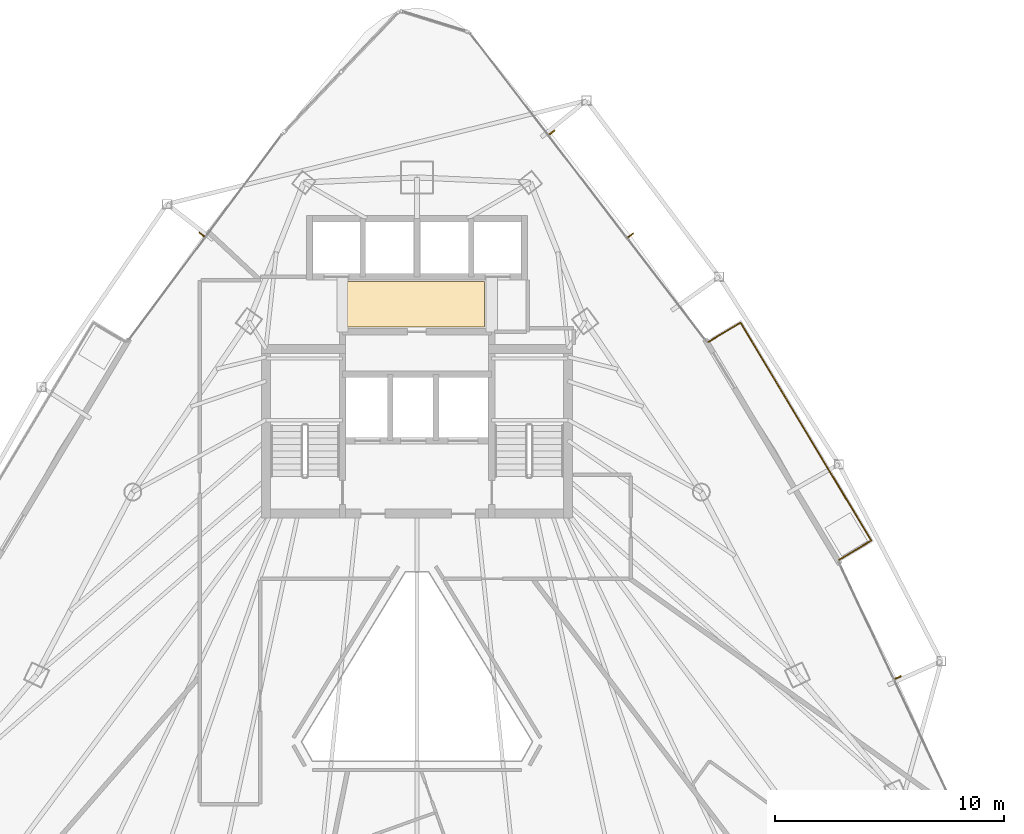
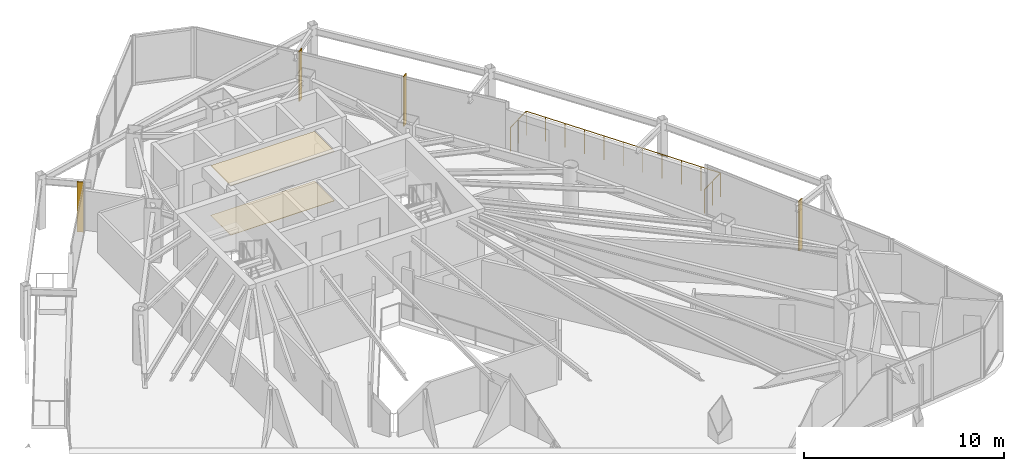
# One storey, part 30 of 30: 4 shading devices, 2 coverings, 1 railing.
"""IFC4 building model written with IfcOpenShell, lengths in metres."""

from ifc_helpers import new_model, si_unit, direction, frame, origin, origin_2d, place, context, subcontext, project, spatial, polyline, rectangle, circle, outline, extrude, material, layer, layer_set, type_object, element, save


model = new_model("IFC4")

# Units and contexts
model_context = context("Model", 3, precision=1e-05, world=origin(), true_north=direction((0.0, 1.0)))
body_context = subcontext(model_context, "Body", "Model", "MODEL_VIEW")
ifc_project = project(units=[si_unit("LENGTHUNIT", "METRE"), si_unit("AREAUNIT", "SQUARE_METRE"), si_unit("VOLUMEUNIT", "CUBIC_METRE"), si_unit("PLANEANGLEUNIT", "RADIAN"), si_unit("MASSUNIT", "GRAM", prefix="KILO")], contexts=[model_context])

# Site, building, storey
site_placement = place(None, origin())
site = spatial("IfcSite", under=ifc_project, at=site_placement, CompositionType="ELEMENT")
building_placement = place(site_placement, origin())
building = spatial("IfcBuilding", under=site, at=building_placement, Name="Orvanel Arch Residences", CompositionType="ELEMENT")
storey_placement = place(building_placement, frame((0.0, 0.0, 136.39990234375)))
storey = spatial("IfcBuildingStorey", under=building, at=storey_placement, Name="L38", CompositionType="ELEMENT", Elevation=136.39990234375)

# Coverings
ifc_material_1 = material(Name="Perforated acoustic mineral-fibre ceiling tile", Category="gypsum")
ifc_layer_1 = layer(ifc_material_1, 0.034912109375)
ifc_layer_set_1 = layer_set([ifc_layer_1], Name="Perforated acoustic mineral-fibre ceiling tile")
covering_type_1 = type_object("IfcCoveringType", Name="COV-CLG-ACS35", PredefinedType="CEILING", material=ifc_layer_set_1)
covering_1_placement = place(storey_placement, frame((0.0, 0.0, 3.025146484375)))
element("IfcCovering", 1, at=covering_1_placement, inside=storey, type_object=covering_type_1, Name="L38 Lift Lobby Acoustic Ceiling", PredefinedType="CEILING", context=body_context, shape_type="SweptSolid", body=[
    extrude(outline(polyline([(29.949951171875, 34.85009765625), (35.949951171875, 34.85009765625), (35.949951171875, 36.85009765625), (29.949951171875, 36.85009765625), (29.949951171875, 34.85009765625)])), origin(), (0.0, 0.0, 1.0), 0.034912109375),
])
ifc_material_2 = material(Name="Honed cementitious terrazzo floor finish", Category="concrete")
ifc_layer_2 = layer(ifc_material_2, 0.02490234375)
ifc_layer_set_2 = layer_set([ifc_layer_2], Name="Honed cementitious terrazzo floor finish")
covering_type_2 = type_object("IfcCoveringType", Name="COV-FLR-TRZ25", PredefinedType="FLOORING", material=ifc_layer_set_2)
covering_2_placement = place(storey_placement, origin())
element("IfcCovering", 2, at=covering_2_placement, inside=storey, type_object=covering_type_2, Name="L38 Lift Lobby Terrazzo Flooring", PredefinedType="FLOORING", context=body_context, shape_type="SweptSolid", body=[
    extrude(outline(polyline([(29.949951171875, 34.85009765625), (35.949951171875, 34.85009765625), (35.949951171875, 36.85009765625), (29.949951171875, 36.85009765625), (29.949951171875, 34.85009765625)])), origin(), (0.0, 0.0, 1.0), 0.025146484375),
])

# Shading devices
ifc_material_3 = material(Name="Bronze-anodised aluminium AA6063-T6", Category="aluminium")
ifc_layer_3 = layer(ifc_material_3, 0.054931640625)
ifc_layer_set_3 = layer_set([ifc_layer_3], Name="Bronze-anodised aluminium AA6063-T6")
shading_device_type = type_object("IfcShadingDeviceType", Name="FIN-BRZ-320", PredefinedType="USERDEFINED", material=ifc_layer_set_3)
for number, where, z_axis, x_axis, name in (
    (3, (23.593994140625, 38.89697265625, 0.0), (0.0, 0.0, 1.0), (-0.801775644244, 0.597625146976, 0.0), "L38 Anodised Bronze Mullion FIN 01"),
    (4, (54.02392578125, 19.530029296875, 0.0), (0.0, 0.0, 1.0), (0.904827052466, 0.425779291565, 0.0), "L38 Anodised Bronze Mullion FIN 01"),
    (5, (42.333984375, 38.864013671875, 0.0), (0.0, 0.0, 1.0), (0.793353340291, 0.608761429009, 0.0), "L38 Anodised Bronze Mullion FIN 01"),
    (6, (38.889892578125, 43.35595703125, 0.0), (0.0, 0.0, 1.0), (0.793353340291, 0.608761429009, 0.0), "L38 Anodised Bronze Mullion FIN 02"),
):
    element("IfcShadingDevice", number, at=place(storey_placement, frame(where, z_axis=z_axis, x_axis=x_axis)), inside=storey, type_object=shading_device_type, Name=name, ObjectType="FIN", PredefinedType="USERDEFINED", context=body_context, shape_type="SweptSolid", body=[
        extrude(rectangle(XDim=0.320068359375, YDim=0.054931640625, at=origin_2d()), origin(), (0.0, 0.0, 1.0), 3.06005859375),
    ])

# Railing
railing_type = type_object("IfcRailingType", Name="RL-BAL-1480", PredefinedType="BALUSTRADE", material=ifc_material_3)
railing_placement = place(storey_placement, frame((51.450927734375, 24.675048828125, 0.0)))
element("IfcRailing", 7, at=railing_placement, inside=storey, type_object=railing_type, Name="L38 Balcony Perimeter Guardrail Face 3", PredefinedType="BALUSTRADE", context=body_context, shape_type="SweptSolid", body=[
    extrude(circle(Radius=0.02392578125, at=origin_2d()), frame((0.001220703125, 0.000732421875, 1.4560546875), z_axis=(0.857545439568, 0.514408222208, 0.0), x_axis=(-0.514408222208, 0.857545439568, 0.0)), (0.0, 0.0, 1.0), 1.6376953125),
    extrude(circle(Radius=0.02392578125, at=origin_2d()), frame((1.40625, 0.84521484375, 1.4560546875), z_axis=(-0.514414986508, 0.857541381891, 0.0), x_axis=(-0.857541381891, -0.514414986508, 0.0)), (0.0, 0.0, 1.0), 11.110107421875),
    extrude(circle(Radius=0.02392578125, at=origin_2d()), frame((-4.31103515625, 10.373291015625, 1.4560546875), z_axis=(-0.857387817543, -0.514670895164, 0.0), x_axis=(0.514670895164, -0.857387817543, 0.0)), (0.0, 0.0, 1.0), 1.636962890625),
    extrude(circle(Radius=0.02099609375, at=origin_2d()), origin(), (0.0, 0.0, 1.0), 1.429931640625),
    extrude(circle(Radius=0.02099609375, at=origin_2d()), frame((0.70361328125, 0.421875, 0.0)), (0.0, 0.0, 1.0), 1.429931640625),
    extrude(circle(Radius=0.02099609375, at=origin_2d()), frame((1.406982421875, 0.843994140625, 0.0)), (0.0, 0.0, 1.0), 1.429931640625),
    extrude(circle(Radius=0.02099609375, at=origin_2d()), frame((0.835205078125, 1.796875, 0.0)), (0.0, 0.0, 1.0), 1.429931640625),
    extrude(circle(Radius=0.02099609375, at=origin_2d()), frame((0.263671875, 2.75, 0.0)), (0.0, 0.0, 1.0), 1.429931640625),
    extrude(circle(Radius=0.02099609375, at=origin_2d()), frame((-0.30810546875, 3.703125, 0.0)), (0.0, 0.0, 1.0), 1.429931640625),
    extrude(circle(Radius=0.02099609375, at=origin_2d()), frame((-0.879638671875, 4.656005859375, 0.0)), (0.0, 0.0, 1.0), 1.429931640625),
    extrude(circle(Radius=0.02099609375, at=origin_2d()), frame((-1.451416015625, 5.60888671875, 0.0)), (0.0, 0.0, 1.0), 1.429931640625),
    extrude(circle(Radius=0.02099609375, at=origin_2d()), frame((-2.023193359375, 6.56201171875, 0.0)), (0.0, 0.0, 1.0), 1.429931640625),
    extrude(circle(Radius=0.02099609375, at=origin_2d()), frame((-2.5947265625, 7.51513671875, 0.0)), (0.0, 0.0, 1.0), 1.429931640625),
    extrude(circle(Radius=0.02099609375, at=origin_2d()), frame((-3.16650390625, 8.468017578125, 0.0)), (0.0, 0.0, 1.0), 1.429931640625),
    extrude(circle(Radius=0.02099609375, at=origin_2d()), frame((-3.738037109375, 9.4208984375, 0.0)), (0.0, 0.0, 1.0), 1.429931640625),
    extrude(circle(Radius=0.02099609375, at=origin_2d()), frame((-4.309814453125, 10.3740234375, 0.0)), (0.0, 0.0, 1.0), 1.429931640625),
    extrude(circle(Radius=0.02099609375, at=origin_2d()), frame((-5.0126953125, 9.9521484375, 0.0)), (0.0, 0.0, 1.0), 1.429931640625),
    extrude(circle(Radius=0.02099609375, at=origin_2d()), frame((-5.7158203125, 9.530029296875, 0.0)), (0.0, 0.0, 1.0), 1.429931640625),
])

save(model, "model.ifc")
